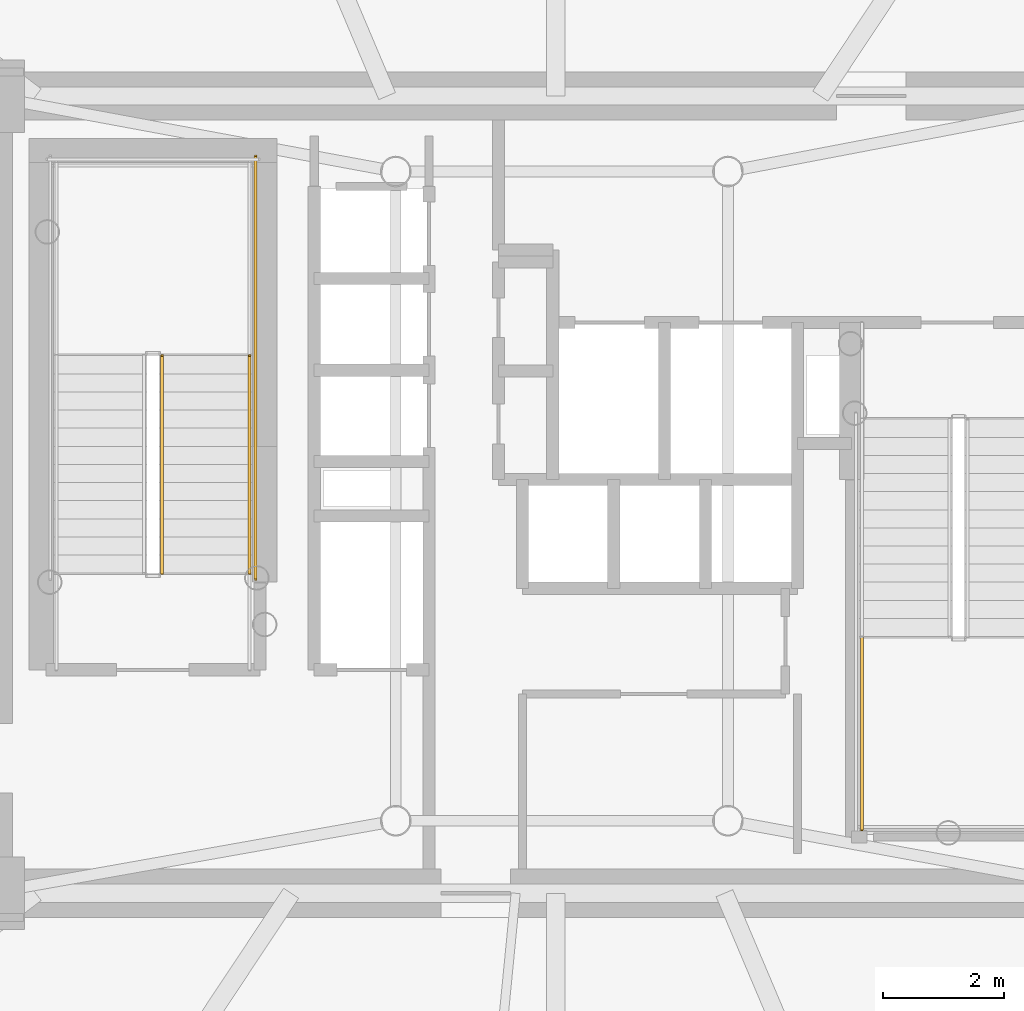
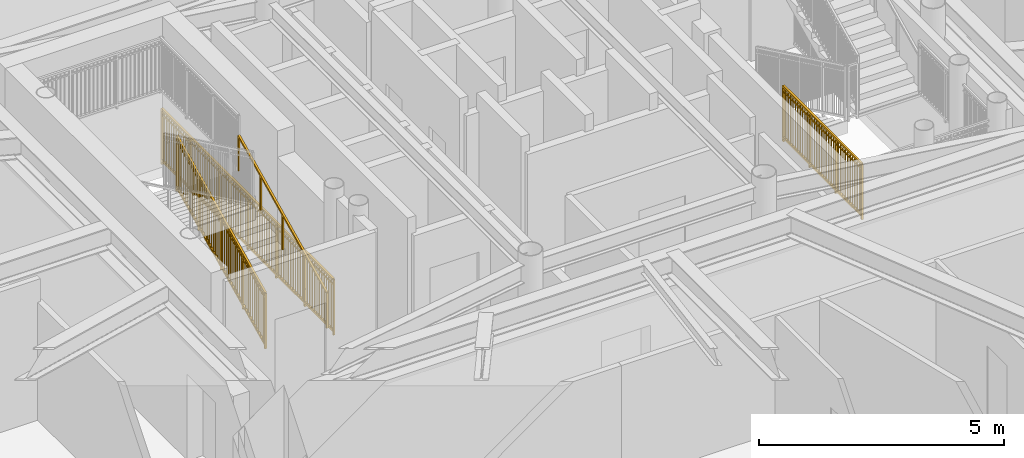
# One storey, part 16 of 21: 4 railings.
"""IFC4 building model written with IfcOpenShell, lengths in metres."""

from ifc_helpers import new_model, si_unit, direction, frame, origin, origin_2d, place, context, subcontext, project, spatial, rectangle, extrude, source, transform, mapped, material, type_object, element, save


model = new_model("IFC4")

# Units and contexts
model_context = context("Model", 3, precision=1e-05, world=origin(), true_north=direction((0.0, 1.0)))
body_context = subcontext(model_context, "Body", "Model", "MODEL_VIEW")
ifc_project = project(units=[si_unit("LENGTHUNIT", "METRE"), si_unit("AREAUNIT", "SQUARE_METRE"), si_unit("VOLUMEUNIT", "CUBIC_METRE"), si_unit("PLANEANGLEUNIT", "RADIAN"), si_unit("MASSUNIT", "GRAM", prefix="KILO")], contexts=[model_context])

# Site, building, storey
site_placement = place(None, origin())
site = spatial("IfcSite", under=ifc_project, at=site_placement, CompositionType="ELEMENT")
building_placement = place(site_placement, origin())
building = spatial("IfcBuilding", under=site, at=building_placement, Name="Linh Dai School and Residence Tower", CompositionType="ELEMENT")
storey_placement = place(building_placement, frame((0.0, 0.0, 189.89990234375)))
storey = spatial("IfcBuildingStorey", under=building, at=storey_placement, Name="L46", CompositionType="ELEMENT", Elevation=189.89990234375)

# Railings
ifc_material_1 = material(Name="Structural Steel S355JR", Category="steel")
railing_type_1 = type_object("IfcRailingType", Name="RL-ST-GUARD-1400", PredefinedType="GUARDRAIL", material=ifc_material_1)
shared_shape_1 = source(origin(), body_context, "Body", "SweptSolid", [
    extrude(rectangle(XDim=0.048095703125, YDim=0.048095703125, at=origin_2d()), frame((0.0, 0.0, 1.3759765625), z_axis=(0.0, 1.0, 0.0), x_axis=(-1.0, 0.0, 0.0)), (0.0, 0.0, 1.0), 7.0),
    extrude(rectangle(XDim=0.048095703125, YDim=0.048095703125, at=origin_2d()), frame((0.0, 0.0, 0.10009765625), z_axis=(0.0, 1.0, 0.0), x_axis=(-1.0, 0.0, 0.0)), (0.0, 0.0, 1.0), 7.0),
    extrude(rectangle(XDim=0.030029296875, YDim=0.030029296875, at=origin_2d()), frame((0.0, 0.0, 1.239990234375), z_axis=(0.0, 1.0, 0.0), x_axis=(-1.0, 0.0, 0.0)), (0.0, 0.0, 1.0), 7.0),
    extrude(rectangle(XDim=0.02001953125, YDim=0.02001953125, at=origin_2d()), frame((0.0, 0.09716796875, 0.10009765625)), (0.0, 0.0, 1.0), 1.251708984375),
    extrude(rectangle(XDim=0.02001953125, YDim=0.02001953125, at=origin_2d()), frame((0.0, 0.1943359375, 0.10009765625)), (0.0, 0.0, 1.0), 1.251708984375),
    extrude(rectangle(XDim=0.02001953125, YDim=0.02001953125, at=origin_2d()), frame((0.0, 0.291748046875, 0.10009765625)), (0.0, 0.0, 1.0), 1.251708984375),
    extrude(rectangle(XDim=0.02001953125, YDim=0.02001953125, at=origin_2d()), frame((0.0, 0.388916015625, 0.10009765625)), (0.0, 0.0, 1.0), 1.251708984375),
    extrude(rectangle(XDim=0.02001953125, YDim=0.02001953125, at=origin_2d()), frame((0.0, 0.486083984375, 0.10009765625)), (0.0, 0.0, 1.0), 1.251708984375),
    extrude(rectangle(XDim=0.02001953125, YDim=0.02001953125, at=origin_2d()), frame((0.0, 0.583251953125, 0.10009765625)), (0.0, 0.0, 1.0), 1.251708984375),
    extrude(rectangle(XDim=0.02001953125, YDim=0.02001953125, at=origin_2d()), frame((0.0, 0.6806640625, 0.10009765625)), (0.0, 0.0, 1.0), 1.251708984375),
    extrude(rectangle(XDim=0.02001953125, YDim=0.02001953125, at=origin_2d()), frame((0.0, 0.77783203125, 0.10009765625)), (0.0, 0.0, 1.0), 1.251708984375),
    extrude(rectangle(XDim=0.02001953125, YDim=0.02001953125, at=origin_2d()), frame((0.0, 0.875, 0.10009765625)), (0.0, 0.0, 1.0), 1.251708984375),
    extrude(rectangle(XDim=0.02001953125, YDim=0.02001953125, at=origin_2d()), frame((0.0, 0.97216796875, 0.10009765625)), (0.0, 0.0, 1.0), 1.251708984375),
    extrude(rectangle(XDim=0.02001953125, YDim=0.02001953125, at=origin_2d()), frame((0.0, 1.0693359375, 0.10009765625)), (0.0, 0.0, 1.0), 1.251708984375),
    extrude(rectangle(XDim=0.02001953125, YDim=0.02001953125, at=origin_2d()), frame((0.0, 1.263916015625, 0.10009765625)), (0.0, 0.0, 1.0), 1.251708984375),
    extrude(rectangle(XDim=0.02001953125, YDim=0.02001953125, at=origin_2d()), frame((0.0, 1.361083984375, 0.10009765625)), (0.0, 0.0, 1.0), 1.251708984375),
    extrude(rectangle(XDim=0.02001953125, YDim=0.02001953125, at=origin_2d()), frame((0.0, 1.458251953125, 0.10009765625)), (0.0, 0.0, 1.0), 1.251708984375),
    extrude(rectangle(XDim=0.02001953125, YDim=0.02001953125, at=origin_2d()), frame((0.0, 1.5556640625, 0.10009765625)), (0.0, 0.0, 1.0), 1.251708984375),
    extrude(rectangle(XDim=0.02001953125, YDim=0.02001953125, at=origin_2d()), frame((0.0, 1.65283203125, 0.10009765625)), (0.0, 0.0, 1.0), 1.251708984375),
    extrude(rectangle(XDim=0.02001953125, YDim=0.02001953125, at=origin_2d()), frame((0.0, 1.75, 0.10009765625)), (0.0, 0.0, 1.0), 1.251708984375),
    extrude(rectangle(XDim=0.02001953125, YDim=0.02001953125, at=origin_2d()), frame((0.0, 1.84716796875, 0.10009765625)), (0.0, 0.0, 1.0), 1.251708984375),
    extrude(rectangle(XDim=0.02001953125, YDim=0.02001953125, at=origin_2d()), frame((0.0, 1.9443359375, 0.10009765625)), (0.0, 0.0, 1.0), 1.251708984375),
    extrude(rectangle(XDim=0.02001953125, YDim=0.02001953125, at=origin_2d()), frame((0.0, 2.041748046875, 0.10009765625)), (0.0, 0.0, 1.0), 1.251708984375),
    extrude(rectangle(XDim=0.02001953125, YDim=0.02001953125, at=origin_2d()), frame((0.0, 2.138916015625, 0.10009765625)), (0.0, 0.0, 1.0), 1.251708984375),
    extrude(rectangle(XDim=0.02001953125, YDim=0.02001953125, at=origin_2d()), frame((0.0, 2.236083984375, 0.10009765625)), (0.0, 0.0, 1.0), 1.251708984375),
    extrude(rectangle(XDim=0.02001953125, YDim=0.02001953125, at=origin_2d()), frame((0.0, 2.4306640625, 0.10009765625)), (0.0, 0.0, 1.0), 1.251708984375),
    extrude(rectangle(XDim=0.02001953125, YDim=0.02001953125, at=origin_2d()), frame((0.0, 2.52783203125, 0.10009765625)), (0.0, 0.0, 1.0), 1.251708984375),
    extrude(rectangle(XDim=0.02001953125, YDim=0.02001953125, at=origin_2d()), frame((0.0, 2.625, 0.10009765625)), (0.0, 0.0, 1.0), 1.251708984375),
    extrude(rectangle(XDim=0.02001953125, YDim=0.02001953125, at=origin_2d()), frame((0.0, 2.72216796875, 0.10009765625)), (0.0, 0.0, 1.0), 1.251708984375),
    extrude(rectangle(XDim=0.02001953125, YDim=0.02001953125, at=origin_2d()), frame((0.0, 2.8193359375, 0.10009765625)), (0.0, 0.0, 1.0), 1.251708984375),
    extrude(rectangle(XDim=0.02001953125, YDim=0.02001953125, at=origin_2d()), frame((0.0, 2.916748046875, 0.10009765625)), (0.0, 0.0, 1.0), 1.251708984375),
    extrude(rectangle(XDim=0.02001953125, YDim=0.02001953125, at=origin_2d()), frame((0.0, 3.013916015625, 0.10009765625)), (0.0, 0.0, 1.0), 1.251708984375),
    extrude(rectangle(XDim=0.02001953125, YDim=0.02001953125, at=origin_2d()), frame((0.0, 3.111083984375, 0.10009765625)), (0.0, 0.0, 1.0), 1.251708984375),
    extrude(rectangle(XDim=0.02001953125, YDim=0.02001953125, at=origin_2d()), frame((0.0, 3.208251953125, 0.10009765625)), (0.0, 0.0, 1.0), 1.251708984375),
    extrude(rectangle(XDim=0.02001953125, YDim=0.02001953125, at=origin_2d()), frame((0.0, 3.3056640625, 0.10009765625)), (0.0, 0.0, 1.0), 1.251708984375),
    extrude(rectangle(XDim=0.02001953125, YDim=0.02001953125, at=origin_2d()), frame((0.0, 3.40283203125, 0.10009765625)), (0.0, 0.0, 1.0), 1.251708984375),
    extrude(rectangle(XDim=0.02001953125, YDim=0.02001953125, at=origin_2d()), frame((0.0, 3.59716796875, 0.10009765625)), (0.0, 0.0, 1.0), 1.251708984375),
    extrude(rectangle(XDim=0.02001953125, YDim=0.02001953125, at=origin_2d()), frame((0.0, 3.6943359375, 0.10009765625)), (0.0, 0.0, 1.0), 1.251708984375),
    extrude(rectangle(XDim=0.02001953125, YDim=0.02001953125, at=origin_2d()), frame((0.0, 3.791748046875, 0.10009765625)), (0.0, 0.0, 1.0), 1.251708984375),
    extrude(rectangle(XDim=0.02001953125, YDim=0.02001953125, at=origin_2d()), frame((0.0, 3.888916015625, 0.10009765625)), (0.0, 0.0, 1.0), 1.251708984375),
    extrude(rectangle(XDim=0.02001953125, YDim=0.02001953125, at=origin_2d()), frame((0.0, 3.986083984375, 0.10009765625)), (0.0, 0.0, 1.0), 1.251708984375),
    extrude(rectangle(XDim=0.02001953125, YDim=0.02001953125, at=origin_2d()), frame((0.0, 4.083251953125, 0.10009765625)), (0.0, 0.0, 1.0), 1.251708984375),
    extrude(rectangle(XDim=0.02001953125, YDim=0.02001953125, at=origin_2d()), frame((0.0, 4.1806640625, 0.10009765625)), (0.0, 0.0, 1.0), 1.251708984375),
    extrude(rectangle(XDim=0.02001953125, YDim=0.02001953125, at=origin_2d()), frame((0.0, 4.27783203125, 0.10009765625)), (0.0, 0.0, 1.0), 1.251708984375),
    extrude(rectangle(XDim=0.02001953125, YDim=0.02001953125, at=origin_2d()), frame((0.0, 4.375, 0.10009765625)), (0.0, 0.0, 1.0), 1.251708984375),
    extrude(rectangle(XDim=0.02001953125, YDim=0.02001953125, at=origin_2d()), frame((0.0, 4.47216796875, 0.10009765625)), (0.0, 0.0, 1.0), 1.251708984375),
    extrude(rectangle(XDim=0.02001953125, YDim=0.02001953125, at=origin_2d()), frame((0.0, 4.5693359375, 0.10009765625)), (0.0, 0.0, 1.0), 1.251708984375),
    extrude(rectangle(XDim=0.02001953125, YDim=0.02001953125, at=origin_2d()), frame((0.0, 4.763916015625, 0.10009765625)), (0.0, 0.0, 1.0), 1.251708984375),
    extrude(rectangle(XDim=0.02001953125, YDim=0.02001953125, at=origin_2d()), frame((0.0, 4.861083984375, 0.10009765625)), (0.0, 0.0, 1.0), 1.251708984375),
    extrude(rectangle(XDim=0.02001953125, YDim=0.02001953125, at=origin_2d()), frame((0.0, 4.958251953125, 0.10009765625)), (0.0, 0.0, 1.0), 1.251708984375),
    extrude(rectangle(XDim=0.02001953125, YDim=0.02001953125, at=origin_2d()), frame((0.0, 5.0556640625, 0.10009765625)), (0.0, 0.0, 1.0), 1.251708984375),
    extrude(rectangle(XDim=0.02001953125, YDim=0.02001953125, at=origin_2d()), frame((0.0, 5.15283203125, 0.10009765625)), (0.0, 0.0, 1.0), 1.251708984375),
    extrude(rectangle(XDim=0.02001953125, YDim=0.02001953125, at=origin_2d()), frame((0.0, 5.25, 0.10009765625)), (0.0, 0.0, 1.0), 1.251708984375),
    extrude(rectangle(XDim=0.02001953125, YDim=0.02001953125, at=origin_2d()), frame((0.0, 5.34716796875, 0.10009765625)), (0.0, 0.0, 1.0), 1.251708984375),
    extrude(rectangle(XDim=0.02001953125, YDim=0.02001953125, at=origin_2d()), frame((0.0, 5.4443359375, 0.10009765625)), (0.0, 0.0, 1.0), 1.251708984375),
    extrude(rectangle(XDim=0.02001953125, YDim=0.02001953125, at=origin_2d()), frame((0.0, 5.541748046875, 0.10009765625)), (0.0, 0.0, 1.0), 1.251708984375),
    extrude(rectangle(XDim=0.02001953125, YDim=0.02001953125, at=origin_2d()), frame((0.0, 5.638916015625, 0.10009765625)), (0.0, 0.0, 1.0), 1.251708984375),
    extrude(rectangle(XDim=0.02001953125, YDim=0.02001953125, at=origin_2d()), frame((0.0, 5.736083984375, 0.10009765625)), (0.0, 0.0, 1.0), 1.251708984375),
    extrude(rectangle(XDim=0.02001953125, YDim=0.02001953125, at=origin_2d()), frame((0.0, 5.9306640625, 0.10009765625)), (0.0, 0.0, 1.0), 1.251708984375),
    extrude(rectangle(XDim=0.02001953125, YDim=0.02001953125, at=origin_2d()), frame((0.0, 6.02783203125, 0.10009765625)), (0.0, 0.0, 1.0), 1.251708984375),
    extrude(rectangle(XDim=0.02001953125, YDim=0.02001953125, at=origin_2d()), frame((0.0, 6.125, 0.10009765625)), (0.0, 0.0, 1.0), 1.251708984375),
    extrude(rectangle(XDim=0.02001953125, YDim=0.02001953125, at=origin_2d()), frame((0.0, 6.22216796875, 0.10009765625)), (0.0, 0.0, 1.0), 1.251708984375),
    extrude(rectangle(XDim=0.02001953125, YDim=0.02001953125, at=origin_2d()), frame((0.0, 6.3193359375, 0.10009765625)), (0.0, 0.0, 1.0), 1.251708984375),
    extrude(rectangle(XDim=0.02001953125, YDim=0.02001953125, at=origin_2d()), frame((0.0, 6.416748046875, 0.10009765625)), (0.0, 0.0, 1.0), 1.251708984375),
    extrude(rectangle(XDim=0.02001953125, YDim=0.02001953125, at=origin_2d()), frame((0.0, 6.513916015625, 0.10009765625)), (0.0, 0.0, 1.0), 1.251708984375),
    extrude(rectangle(XDim=0.02001953125, YDim=0.02001953125, at=origin_2d()), frame((0.0, 6.611083984375, 0.10009765625)), (0.0, 0.0, 1.0), 1.251708984375),
    extrude(rectangle(XDim=0.02001953125, YDim=0.02001953125, at=origin_2d()), frame((0.0, 6.708251953125, 0.10009765625)), (0.0, 0.0, 1.0), 1.251708984375),
    extrude(rectangle(XDim=0.02001953125, YDim=0.02001953125, at=origin_2d()), frame((0.0, 6.8056640625, 0.10009765625)), (0.0, 0.0, 1.0), 1.251708984375),
    extrude(rectangle(XDim=0.02001953125, YDim=0.02001953125, at=origin_2d()), frame((0.0, 6.90283203125, 0.10009765625)), (0.0, 0.0, 1.0), 1.251708984375),
    extrude(rectangle(XDim=0.0419921875, YDim=0.0419921875, at=origin_2d()), origin(), (0.0, 0.0, 1.0), 1.3759765625),
    extrude(rectangle(XDim=0.0419921875, YDim=0.0419921875, at=origin_2d()), frame((0.0, 1.166748046875, 0.0)), (0.0, 0.0, 1.0), 1.3759765625),
    extrude(rectangle(XDim=0.0419921875, YDim=0.0419921875, at=origin_2d()), frame((0.0, 2.333251953125, 0.0)), (0.0, 0.0, 1.0), 1.3759765625),
    extrude(rectangle(XDim=0.0419921875, YDim=0.0419921875, at=origin_2d()), frame((0.0, 3.5, 0.0)), (0.0, 0.0, 1.0), 1.3759765625),
    extrude(rectangle(XDim=0.0419921875, YDim=0.0419921875, at=origin_2d()), frame((0.0, 4.666748046875, 0.0)), (0.0, 0.0, 1.0), 1.3759765625),
    extrude(rectangle(XDim=0.0419921875, YDim=0.0419921875, at=origin_2d()), frame((0.0, 5.833251953125, 0.0)), (0.0, 0.0, 1.0), 1.3759765625),
    extrude(rectangle(XDim=0.0419921875, YDim=0.0419921875, at=origin_2d()), frame((0.0, 7.0, 0.0)), (0.0, 0.0, 1.0), 1.3759765625),
])
railing_1_placement = place(storey_placement, frame((31.030029296875, 25.60009765625, 0.0)))
element("IfcRailing", 1, at=railing_1_placement, inside=storey, type_object=railing_type_1, Name="L46 ST1 stair guard 10", PredefinedType="GUARDRAIL", context=body_context, shape_type="MappedRepresentation", body=[
    mapped(shared_shape_1, transform((0.0, 0.0, 0.0), x_axis=(1.0, 0.0, 0.0), y_axis=(0.0, 1.0, 0.0), z_axis=(0.0, 0.0, 1.0), scale=1.0)),
])
shared_shape_2 = source(origin(), body_context, "Body", "SweptSolid", [
    extrude(rectangle(XDim=0.048095703125, YDim=0.048095703125, at=origin_2d()), frame((0.0, 0.0, 1.3759765625), z_axis=(0.0, 0.901262522062, 0.433273431364), x_axis=(-1.0, 0.0, 0.0)), (0.0, 0.0, 1.0), 3.994384765625),
    extrude(rectangle(XDim=0.048095703125, YDim=0.048095703125, at=origin_2d()), frame((0.0, 0.0, 0.10009765625), z_axis=(0.0, 0.901262522062, 0.433273431364), x_axis=(-1.0, 0.0, 0.0)), (0.0, 0.0, 1.0), 3.994384765625),
    extrude(rectangle(XDim=0.030029296875, YDim=0.030029296875, at=origin_2d()), frame((0.0, 0.0, 1.239990234375), z_axis=(0.0, 0.901262522062, 0.433273431364), x_axis=(-1.0, 0.0, 0.0)), (0.0, 0.0, 1.0), 3.994384765625),
    extrude(rectangle(XDim=0.02001953125, YDim=0.02001953125, at=origin_2d()), frame((0.0, 0.087890625, 0.142333984375)), (0.0, 0.0, 1.0), 1.251708984375),
    extrude(rectangle(XDim=0.02001953125, YDim=0.02001953125, at=origin_2d()), frame((0.0, 0.175537109375, 0.1845703125)), (0.0, 0.0, 1.0), 1.251708984375),
    extrude(rectangle(XDim=0.02001953125, YDim=0.02001953125, at=origin_2d()), frame((0.0, 0.263427734375, 0.226806640625)), (0.0, 0.0, 1.0), 1.251708984375),
    extrude(rectangle(XDim=0.02001953125, YDim=0.02001953125, at=origin_2d()), frame((0.0, 0.351318359375, 0.26904296875)), (0.0, 0.0, 1.0), 1.251708984375),
    extrude(rectangle(XDim=0.02001953125, YDim=0.02001953125, at=origin_2d()), frame((0.0, 0.43896484375, 0.311279296875)), (0.0, 0.0, 1.0), 1.251708984375),
    extrude(rectangle(XDim=0.02001953125, YDim=0.02001953125, at=origin_2d()), frame((0.0, 0.52685546875, 0.353271484375)), (0.0, 0.0, 1.0), 1.251708984375),
    extrude(rectangle(XDim=0.02001953125, YDim=0.02001953125, at=origin_2d()), frame((0.0, 0.61474609375, 0.3955078125)), (0.0, 0.0, 1.0), 1.251708984375),
    extrude(rectangle(XDim=0.02001953125, YDim=0.02001953125, at=origin_2d()), frame((0.0, 0.702392578125, 0.437744140625)), (0.0, 0.0, 1.0), 1.251708984375),
    extrude(rectangle(XDim=0.02001953125, YDim=0.02001953125, at=origin_2d()), frame((0.0, 0.790283203125, 0.47998046875)), (0.0, 0.0, 1.0), 1.251708984375),
    extrude(rectangle(XDim=0.02001953125, YDim=0.02001953125, at=origin_2d()), frame((0.0, 0.9658203125, 0.564453125)), (0.0, 0.0, 1.0), 1.251708984375),
    extrude(rectangle(XDim=0.02001953125, YDim=0.02001953125, at=origin_2d()), frame((0.0, 1.0537109375, 0.606689453125)), (0.0, 0.0, 1.0), 1.251708984375),
    extrude(rectangle(XDim=0.02001953125, YDim=0.02001953125, at=origin_2d()), frame((0.0, 1.1416015625, 0.64892578125)), (0.0, 0.0, 1.0), 1.251708984375),
    extrude(rectangle(XDim=0.02001953125, YDim=0.02001953125, at=origin_2d()), frame((0.0, 1.229248046875, 0.691162109375)), (0.0, 0.0, 1.0), 1.251708984375),
    extrude(rectangle(XDim=0.02001953125, YDim=0.02001953125, at=origin_2d()), frame((0.0, 1.317138671875, 0.7333984375)), (0.0, 0.0, 1.0), 1.251708984375),
    extrude(rectangle(XDim=0.02001953125, YDim=0.02001953125, at=origin_2d()), frame((0.0, 1.405029296875, 0.775390625)), (0.0, 0.0, 1.0), 1.251708984375),
    extrude(rectangle(XDim=0.02001953125, YDim=0.02001953125, at=origin_2d()), frame((0.0, 1.49267578125, 0.817626953125)), (0.0, 0.0, 1.0), 1.251708984375),
    extrude(rectangle(XDim=0.02001953125, YDim=0.02001953125, at=origin_2d()), frame((0.0, 1.58056640625, 0.85986328125)), (0.0, 0.0, 1.0), 1.251708984375),
    extrude(rectangle(XDim=0.02001953125, YDim=0.02001953125, at=origin_2d()), frame((0.0, 1.66845703125, 0.902099609375)), (0.0, 0.0, 1.0), 1.251708984375),
    extrude(rectangle(XDim=0.02001953125, YDim=0.02001953125, at=origin_2d()), frame((0.0, 1.756103515625, 0.9443359375)), (0.0, 0.0, 1.0), 1.251708984375),
    extrude(rectangle(XDim=0.02001953125, YDim=0.02001953125, at=origin_2d()), frame((0.0, 1.843994140625, 0.986572265625)), (0.0, 0.0, 1.0), 1.251708984375),
    extrude(rectangle(XDim=0.02001953125, YDim=0.02001953125, at=origin_2d()), frame((0.0, 1.931640625, 1.02880859375)), (0.0, 0.0, 1.0), 1.251708984375),
    extrude(rectangle(XDim=0.02001953125, YDim=0.02001953125, at=origin_2d()), frame((0.0, 2.01953125, 1.071044921875)), (0.0, 0.0, 1.0), 1.251708984375),
    extrude(rectangle(XDim=0.02001953125, YDim=0.02001953125, at=origin_2d()), frame((0.0, 2.107421875, 1.11328125)), (0.0, 0.0, 1.0), 1.251708984375),
    extrude(rectangle(XDim=0.02001953125, YDim=0.02001953125, at=origin_2d()), frame((0.0, 2.195068359375, 1.155517578125)), (0.0, 0.0, 1.0), 1.251708984375),
    extrude(rectangle(XDim=0.02001953125, YDim=0.02001953125, at=origin_2d()), frame((0.0, 2.282958984375, 1.197509765625)), (0.0, 0.0, 1.0), 1.251708984375),
    extrude(rectangle(XDim=0.02001953125, YDim=0.02001953125, at=origin_2d()), frame((0.0, 2.370849609375, 1.23974609375)), (0.0, 0.0, 1.0), 1.251708984375),
    extrude(rectangle(XDim=0.02001953125, YDim=0.02001953125, at=origin_2d()), frame((0.0, 2.45849609375, 1.281982421875)), (0.0, 0.0, 1.0), 1.251708984375),
    extrude(rectangle(XDim=0.02001953125, YDim=0.02001953125, at=origin_2d()), frame((0.0, 2.54638671875, 1.32421875)), (0.0, 0.0, 1.0), 1.251708984375),
    extrude(rectangle(XDim=0.02001953125, YDim=0.02001953125, at=origin_2d()), frame((0.0, 2.63427734375, 1.366455078125)), (0.0, 0.0, 1.0), 1.251708984375),
    extrude(rectangle(XDim=0.02001953125, YDim=0.02001953125, at=origin_2d()), frame((0.0, 2.809814453125, 1.450927734375)), (0.0, 0.0, 1.0), 1.251708984375),
    extrude(rectangle(XDim=0.02001953125, YDim=0.02001953125, at=origin_2d()), frame((0.0, 2.897705078125, 1.4931640625)), (0.0, 0.0, 1.0), 1.251708984375),
    extrude(rectangle(XDim=0.02001953125, YDim=0.02001953125, at=origin_2d()), frame((0.0, 2.9853515625, 1.535400390625)), (0.0, 0.0, 1.0), 1.251708984375),
    extrude(rectangle(XDim=0.02001953125, YDim=0.02001953125, at=origin_2d()), frame((0.0, 3.0732421875, 1.57763671875)), (0.0, 0.0, 1.0), 1.251708984375),
    extrude(rectangle(XDim=0.02001953125, YDim=0.02001953125, at=origin_2d()), frame((0.0, 3.1611328125, 1.61962890625)), (0.0, 0.0, 1.0), 1.251708984375),
    extrude(rectangle(XDim=0.02001953125, YDim=0.02001953125, at=origin_2d()), frame((0.0, 3.248779296875, 1.661865234375)), (0.0, 0.0, 1.0), 1.251708984375),
    extrude(rectangle(XDim=0.02001953125, YDim=0.02001953125, at=origin_2d()), frame((0.0, 3.336669921875, 1.7041015625)), (0.0, 0.0, 1.0), 1.251708984375),
    extrude(rectangle(XDim=0.02001953125, YDim=0.02001953125, at=origin_2d()), frame((0.0, 3.424560546875, 1.746337890625)), (0.0, 0.0, 1.0), 1.251708984375),
    extrude(rectangle(XDim=0.02001953125, YDim=0.02001953125, at=origin_2d()), frame((0.0, 3.51220703125, 1.78857421875)), (0.0, 0.0, 1.0), 1.251708984375),
    extrude(rectangle(XDim=0.0419921875, YDim=0.0419921875, at=origin_2d()), origin(), (0.0, 0.0, 1.0), 1.3759765625),
    extrude(rectangle(XDim=0.0419921875, YDim=0.0419921875, at=origin_2d()), frame((0.0, 0.89990234375, 0.4326171875)), (0.0, 0.0, 1.0), 1.3759765625),
    extrude(rectangle(XDim=0.0419921875, YDim=0.0419921875, at=origin_2d()), frame((0.0, 1.800048828125, 0.865234375)), (0.0, 0.0, 1.0), 1.3759765625),
    extrude(rectangle(XDim=0.0419921875, YDim=0.0419921875, at=origin_2d()), frame((0.0, 2.7001953125, 1.298095703125)), (0.0, 0.0, 1.0), 1.3759765625),
    extrude(rectangle(XDim=0.0419921875, YDim=0.0419921875, at=origin_2d()), frame((0.0, 3.60009765625, 1.730712890625)), (0.0, 0.0, 1.0), 1.3759765625),
])
railing_2_placement = place(storey_placement, frame((29.47998046875, 25.699951171875, 0.144287109375)))
element("IfcRailing", 2, at=railing_2_placement, inside=storey, type_object=railing_type_1, Name="L46 ST1 stair guard 1", PredefinedType="GUARDRAIL", context=body_context, shape_type="MappedRepresentation", body=[
    mapped(shared_shape_2, transform((0.0, 0.0, 0.0), x_axis=(1.0, 0.0, 0.0), y_axis=(0.0, 1.0, 0.0), z_axis=(0.0, 0.0, 1.0), scale=1.0)),
])
ifc_material_2 = material(Name="Brushed Stainless Steel Handrail", Category="steel")
railing_type_2 = type_object("IfcRailingType", Name="RL-ST-HANDRAIL-900", PredefinedType="HANDRAIL", material=ifc_material_2)
shared_shape_3 = source(origin(), body_context, "Body", "SweptSolid", [
    extrude(rectangle(XDim=0.048095703125, YDim=0.048095703125, at=origin_2d()), frame((0.0, 0.0, 0.8759765625), z_axis=(0.0, 0.901262522062, 0.433273431364), x_axis=(-1.0, 0.0, 0.0)), (0.0, 0.0, 1.0), 3.994384765625),
    extrude(rectangle(XDim=0.0419921875, YDim=0.0419921875, at=origin_2d()), origin(), (0.0, 0.0, 1.0), 0.8759765625),
    extrude(rectangle(XDim=0.0419921875, YDim=0.0419921875, at=origin_2d()), frame((0.0, 0.89990234375, 0.4326171875)), (0.0, 0.0, 1.0), 0.8759765625),
    extrude(rectangle(XDim=0.0419921875, YDim=0.0419921875, at=origin_2d()), frame((0.0, 1.800048828125, 0.865234375)), (0.0, 0.0, 1.0), 0.8759765625),
    extrude(rectangle(XDim=0.0419921875, YDim=0.0419921875, at=origin_2d()), frame((0.0, 2.7001953125, 1.298095703125)), (0.0, 0.0, 1.0), 0.8759765625),
    extrude(rectangle(XDim=0.0419921875, YDim=0.0419921875, at=origin_2d()), frame((0.0, 3.60009765625, 1.730712890625)), (0.0, 0.0, 1.0), 0.8759765625),
])
railing_3_placement = place(storey_placement, frame((30.929931640625, 25.699951171875, 0.144287109375)))
element("IfcRailing", 3, at=railing_3_placement, inside=storey, type_object=railing_type_2, Name="L46 ST1 stair handrail 1", PredefinedType="HANDRAIL", context=body_context, shape_type="MappedRepresentation", body=[
    mapped(shared_shape_3, transform((0.0, 0.0, 0.0), x_axis=(1.0, 0.0, 0.0), y_axis=(0.0, 1.0, 0.0), z_axis=(0.0, 0.0, 1.0), scale=1.0)),
])
shared_shape_4 = source(origin(), body_context, "Body", "SweptSolid", [
    extrude(rectangle(XDim=0.048095703125, YDim=0.048095703125, at=origin_2d()), frame((0.0, 0.0, 1.3759765625), z_axis=(0.0, -1.0, 0.0), x_axis=(1.0, 0.0, 0.0)), (0.0, 0.0, 1.0), 3.199951171875),
    extrude(rectangle(XDim=0.048095703125, YDim=0.048095703125, at=origin_2d()), frame((0.0, 0.0, 0.10009765625), z_axis=(0.0, -1.0, 0.0), x_axis=(1.0, 0.0, 0.0)), (0.0, 0.0, 1.0), 3.199951171875),
    extrude(rectangle(XDim=0.030029296875, YDim=0.030029296875, at=origin_2d()), frame((0.0, 0.0, 1.239990234375), z_axis=(0.0, -1.0, 0.0), x_axis=(1.0, 0.0, 0.0)), (0.0, 0.0, 1.0), 3.199951171875),
    extrude(rectangle(XDim=0.02001953125, YDim=0.02001953125, at=origin_2d()), frame((0.0, -0.096923828125, 0.10009765625)), (0.0, 0.0, 1.0), 1.251708984375),
    extrude(rectangle(XDim=0.02001953125, YDim=0.02001953125, at=origin_2d()), frame((0.0, -0.19384765625, 0.10009765625)), (0.0, 0.0, 1.0), 1.251708984375),
    extrude(rectangle(XDim=0.02001953125, YDim=0.02001953125, at=origin_2d()), frame((0.0, -0.291015625, 0.10009765625)), (0.0, 0.0, 1.0), 1.251708984375),
    extrude(rectangle(XDim=0.02001953125, YDim=0.02001953125, at=origin_2d()), frame((0.0, -0.387939453125, 0.10009765625)), (0.0, 0.0, 1.0), 1.251708984375),
    extrude(rectangle(XDim=0.02001953125, YDim=0.02001953125, at=origin_2d()), frame((0.0, -0.48486328125, 0.10009765625)), (0.0, 0.0, 1.0), 1.251708984375),
    extrude(rectangle(XDim=0.02001953125, YDim=0.02001953125, at=origin_2d()), frame((0.0, -0.581787109375, 0.10009765625)), (0.0, 0.0, 1.0), 1.251708984375),
    extrude(rectangle(XDim=0.02001953125, YDim=0.02001953125, at=origin_2d()), frame((0.0, -0.6787109375, 0.10009765625)), (0.0, 0.0, 1.0), 1.251708984375),
    extrude(rectangle(XDim=0.02001953125, YDim=0.02001953125, at=origin_2d()), frame((0.0, -0.775634765625, 0.10009765625)), (0.0, 0.0, 1.0), 1.251708984375),
    extrude(rectangle(XDim=0.02001953125, YDim=0.02001953125, at=origin_2d()), frame((0.0, -0.872802734375, 0.10009765625)), (0.0, 0.0, 1.0), 1.251708984375),
    extrude(rectangle(XDim=0.02001953125, YDim=0.02001953125, at=origin_2d()), frame((0.0, -0.9697265625, 0.10009765625)), (0.0, 0.0, 1.0), 1.251708984375),
    extrude(rectangle(XDim=0.02001953125, YDim=0.02001953125, at=origin_2d()), frame((0.0, -1.16357421875, 0.10009765625)), (0.0, 0.0, 1.0), 1.251708984375),
    extrude(rectangle(XDim=0.02001953125, YDim=0.02001953125, at=origin_2d()), frame((0.0, -1.260498046875, 0.10009765625)), (0.0, 0.0, 1.0), 1.251708984375),
    extrude(rectangle(XDim=0.02001953125, YDim=0.02001953125, at=origin_2d()), frame((0.0, -1.357666015625, 0.10009765625)), (0.0, 0.0, 1.0), 1.251708984375),
    extrude(rectangle(XDim=0.02001953125, YDim=0.02001953125, at=origin_2d()), frame((0.0, -1.45458984375, 0.10009765625)), (0.0, 0.0, 1.0), 1.251708984375),
    extrude(rectangle(XDim=0.02001953125, YDim=0.02001953125, at=origin_2d()), frame((0.0, -1.551513671875, 0.10009765625)), (0.0, 0.0, 1.0), 1.251708984375),
    extrude(rectangle(XDim=0.02001953125, YDim=0.02001953125, at=origin_2d()), frame((0.0, -1.6484375, 0.10009765625)), (0.0, 0.0, 1.0), 1.251708984375),
    extrude(rectangle(XDim=0.02001953125, YDim=0.02001953125, at=origin_2d()), frame((0.0, -1.745361328125, 0.10009765625)), (0.0, 0.0, 1.0), 1.251708984375),
    extrude(rectangle(XDim=0.02001953125, YDim=0.02001953125, at=origin_2d()), frame((0.0, -1.84228515625, 0.10009765625)), (0.0, 0.0, 1.0), 1.251708984375),
    extrude(rectangle(XDim=0.02001953125, YDim=0.02001953125, at=origin_2d()), frame((0.0, -1.939453125, 0.10009765625)), (0.0, 0.0, 1.0), 1.251708984375),
    extrude(rectangle(XDim=0.02001953125, YDim=0.02001953125, at=origin_2d()), frame((0.0, -2.036376953125, 0.10009765625)), (0.0, 0.0, 1.0), 1.251708984375),
    extrude(rectangle(XDim=0.02001953125, YDim=0.02001953125, at=origin_2d()), frame((0.0, -2.230224609375, 0.10009765625)), (0.0, 0.0, 1.0), 1.251708984375),
    extrude(rectangle(XDim=0.02001953125, YDim=0.02001953125, at=origin_2d()), frame((0.0, -2.3271484375, 0.10009765625)), (0.0, 0.0, 1.0), 1.251708984375),
    extrude(rectangle(XDim=0.02001953125, YDim=0.02001953125, at=origin_2d()), frame((0.0, -2.42431640625, 0.10009765625)), (0.0, 0.0, 1.0), 1.251708984375),
    extrude(rectangle(XDim=0.02001953125, YDim=0.02001953125, at=origin_2d()), frame((0.0, -2.521240234375, 0.10009765625)), (0.0, 0.0, 1.0), 1.251708984375),
    extrude(rectangle(XDim=0.02001953125, YDim=0.02001953125, at=origin_2d()), frame((0.0, -2.6181640625, 0.10009765625)), (0.0, 0.0, 1.0), 1.251708984375),
    extrude(rectangle(XDim=0.02001953125, YDim=0.02001953125, at=origin_2d()), frame((0.0, -2.715087890625, 0.10009765625)), (0.0, 0.0, 1.0), 1.251708984375),
    extrude(rectangle(XDim=0.02001953125, YDim=0.02001953125, at=origin_2d()), frame((0.0, -2.81201171875, 0.10009765625)), (0.0, 0.0, 1.0), 1.251708984375),
    extrude(rectangle(XDim=0.02001953125, YDim=0.02001953125, at=origin_2d()), frame((0.0, -2.908935546875, 0.10009765625)), (0.0, 0.0, 1.0), 1.251708984375),
    extrude(rectangle(XDim=0.02001953125, YDim=0.02001953125, at=origin_2d()), frame((0.0, -3.006103515625, 0.10009765625)), (0.0, 0.0, 1.0), 1.251708984375),
    extrude(rectangle(XDim=0.02001953125, YDim=0.02001953125, at=origin_2d()), frame((0.0, -3.10302734375, 0.10009765625)), (0.0, 0.0, 1.0), 1.251708984375),
    extrude(rectangle(XDim=0.0419921875, YDim=0.0419921875, at=origin_2d()), origin(), (0.0, 0.0, 1.0), 1.3759765625),
    extrude(rectangle(XDim=0.0419921875, YDim=0.0419921875, at=origin_2d()), frame((0.0, -1.066650390625, 0.0)), (0.0, 0.0, 1.0), 1.3759765625),
    extrude(rectangle(XDim=0.0419921875, YDim=0.0419921875, at=origin_2d()), frame((0.0, -2.13330078125, 0.0)), (0.0, 0.0, 1.0), 1.3759765625),
    extrude(rectangle(XDim=0.0419921875, YDim=0.0419921875, at=origin_2d()), frame((0.0, -3.199951171875, 0.0)), (0.0, 0.0, 1.0), 1.3759765625),
])
railing_4_placement = place(storey_placement, frame((41.070068359375, 24.64990234375, 1.875)))
element("IfcRailing", 4, at=railing_4_placement, inside=storey, type_object=railing_type_1, Name="L46 ST2 stair guard 3", PredefinedType="GUARDRAIL", context=body_context, shape_type="MappedRepresentation", body=[
    mapped(shared_shape_4, transform((0.0, 0.0, 0.0), x_axis=(1.0, 0.0, 0.0), y_axis=(0.0, 1.0, 0.0), z_axis=(0.0, 0.0, 1.0), scale=1.0)),
])

save(model, "model.ifc")
